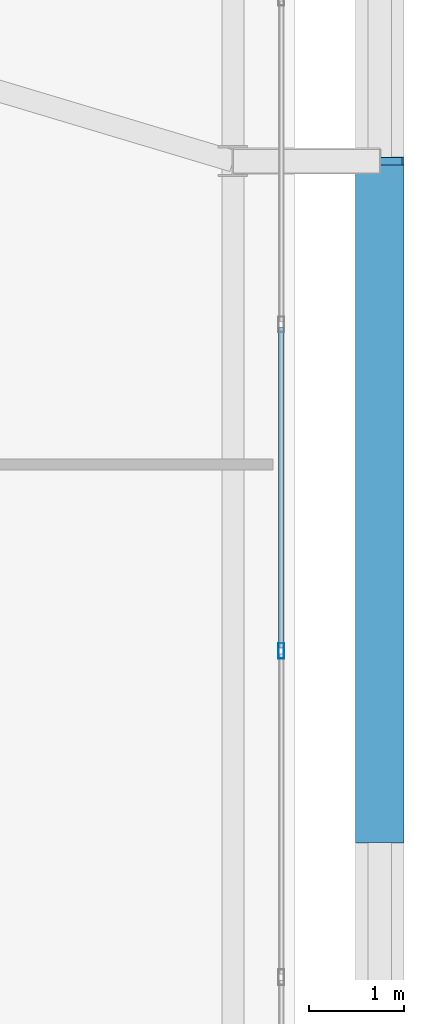
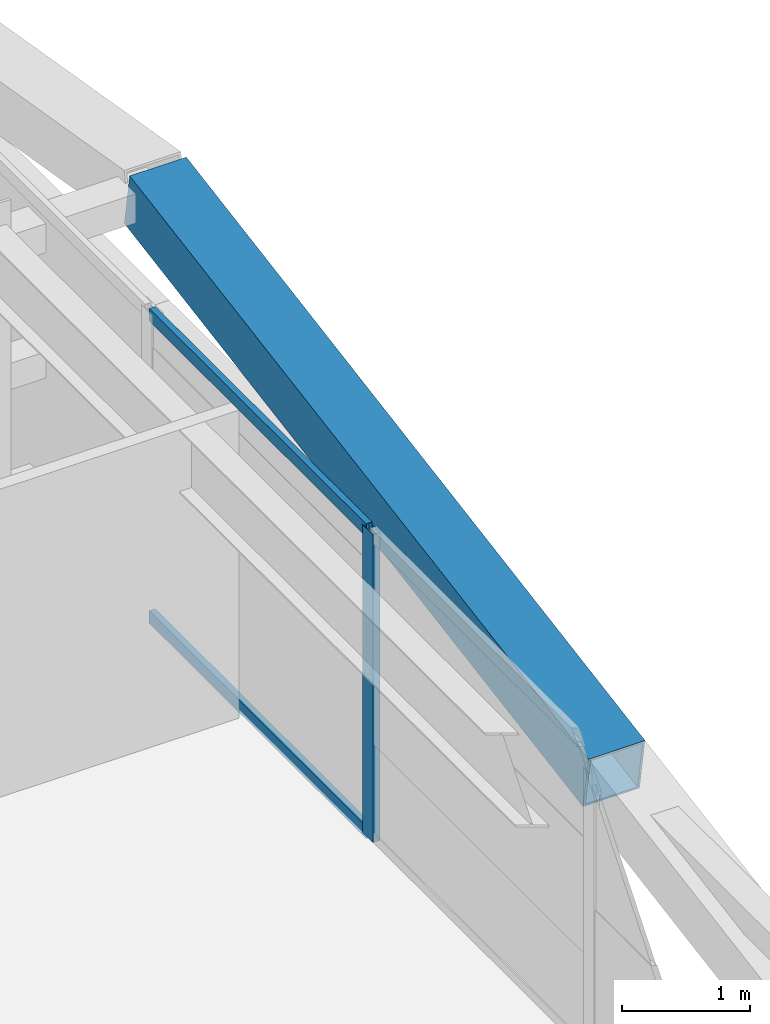
# One storey, part 28 of 59: 4 members, 1 element without a shape of its own.
"""IFC4 building model written with IfcOpenShell, lengths in metres."""

from ifc_helpers import new_model, si_unit, direction, frame, origin, origin_2d, place, context, subcontext, project, spatial, hollow_rectangle, extrude, source, transform, mapped, material, layer, layer_set, material_profile, profile_set, type_object, element, aggregate, save


model = new_model("IFC4")

# Units and contexts
model_context = context("Model", 3, precision=1e-05, world=origin(), true_north=direction((0.0, 1.0)))
body_context = subcontext(model_context, "Body", "Model", "MODEL_VIEW")
ifc_project = project(units=[si_unit("LENGTHUNIT", "METRE"), si_unit("AREAUNIT", "SQUARE_METRE"), si_unit("VOLUMEUNIT", "CUBIC_METRE"), si_unit("PLANEANGLEUNIT", "RADIAN"), si_unit("MASSUNIT", "GRAM", prefix="KILO")], contexts=[model_context])

# Site, building, storey
site_placement = place(None, origin())
site = spatial("IfcSite", under=ifc_project, at=site_placement, CompositionType="ELEMENT")
building_placement = place(site_placement, origin())
building = spatial("IfcBuilding", under=site, at=building_placement, Name="Taldren Reach Tower", CompositionType="ELEMENT")
storey_placement = place(building_placement, frame((0.0, 0.0, 48.300048828125)))
storey = spatial("IfcBuildingStorey", under=building, at=storey_placement, Name="L14", CompositionType="ELEMENT", Elevation=48.300048828125)

# Member
ifc_material_1 = material(Name="Steel Gr 450 (C450L0)", Category="steel")
ifc_material_profile_1 = material_profile(ifc_material_1, hollow_rectangle(XDim=0.510009765625, YDim=0.510009765625, WallThickness=0.02001953125, at=origin_2d()), Name="510x510x20.0SHS")
ifc_profile_set_1 = profile_set([ifc_material_profile_1], Name="Steel Gr 450 (C450L0)")
member_type_1 = type_object("IfcMemberType", Name="MB-EXO508", PredefinedType="BRACE", material=ifc_profile_set_1)
shared_shape_1 = source(origin(), body_context, "Body", "SweptSolid", [
    extrude(hollow_rectangle(XDim=0.510009765625, YDim=0.510009765625, WallThickness=0.02001953125, at=origin_2d()), origin(), (0.0, 0.0, 1.0), 7.25244140625),
])
member_1_placement = place(storey_placement, frame((65.89990234375, 12.85009765625, 1.43505859375), z_axis=(0.0, 0.985870415536, 0.167509772168), x_axis=(-1.0, 0.0, 0.0)))
element("IfcMember", 1, at=member_1_placement, inside=storey, type_object=member_type_1, Name="Exoskeleton Diagrid Brace B1-E1 L14", PredefinedType="BRACE", context=body_context, shape_type="MappedRepresentation", body=[
    mapped(shared_shape_1, transform((0.0, 0.0, 0.0), scale=1.0)),
])

# Curtain wall, members
ifc_material_2 = material(Name="Aluminium and Low-E Glass Unitised System", Category="aluminium")
ifc_layer = layer(ifc_material_2, 0.159912109375)
ifc_layer_set = layer_set([ifc_layer], Name="Aluminium and Low-E Glass Unitised System")
curtain_wall_type = type_object("IfcCurtainWallType", Name="CW-SYS-2", PredefinedType="NOTDEFINED", material=ifc_layer_set)
curtain_wall_placement = place(storey_placement, origin())
curtain_wall = element("IfcCurtainWall", 2, at=curtain_wall_placement, inside=storey, type_object=curtain_wall_type, Name="Unitised curtain wall CW-L14-E", PredefinedType="NOTDEFINED")
ifc_material_3 = material(Name="Anodised Aluminium 6063-T6", Category="aluminium")
ifc_material_profile_2 = material_profile(ifc_material_3, hollow_rectangle(XDim=0.06494140625, YDim=0.1650390625, WallThickness=0.00390625, at=origin_2d()), Name="ALU-165x65x4RHS")
ifc_profile_set_2 = profile_set([ifc_material_profile_2], Name="Anodised Aluminium 6063-T6")
member_type_2 = type_object("IfcMemberType", Name="CW-MUL-165", PredefinedType="MULLION", material=ifc_profile_set_2)
shared_shape_2 = source(origin(), body_context, "Body", "SweptSolid", [
    extrude(hollow_rectangle(XDim=0.06494140625, YDim=0.1650390625, WallThickness=0.00390625, at=origin_2d()), origin(), (0.0, 0.0, 1.0), 2.929931640625),
])
member_2_placement = place(storey_placement, frame((64.860107421875, 14.833251953125, 0.0), z_axis=(0.0, 0.0, 1.0), x_axis=(-1.0, 0.0, 0.0)))
member_2 = element("IfcMember", 3, at=member_2_placement, type_object=member_type_2, Name="CW-2 mullion 4", PredefinedType="MULLION", context=body_context, shape_type="MappedRepresentation", body=[
    mapped(shared_shape_2, transform((0.0, 0.0, 0.0), scale=1.0)),
])
ifc_material_profile_3 = material_profile(ifc_material_3, hollow_rectangle(XDim=0.054931640625, YDim=0.1201171875, WallThickness=0.0029296875, at=origin_2d()), Name="ALU-120x55x3RHS")
ifc_profile_set_3 = profile_set([ifc_material_profile_3], Name="Anodised Aluminium 6063-T6")
member_type_3 = type_object("IfcMemberType", Name="CW-TRN-135", PredefinedType="USERDEFINED", material=ifc_profile_set_3)
shared_shape_3 = source(origin(), body_context, "Body", "SweptSolid", [
    extrude(hollow_rectangle(XDim=0.054931640625, YDim=0.1201171875, WallThickness=0.0029296875, at=origin_2d()), origin(), (0.0, 0.0, 1.0), 3.379638671875),
])
member_3_placement = place(storey_placement, frame((64.860107421875, 14.86572265625, 0.02734375), z_axis=(0.0, 1.0, 0.0), x_axis=(-1.0, 0.0, 0.0)))
member_3 = element("IfcMember", 4, at=member_3_placement, type_object=member_type_3, Name="CW-2 transom 4.1", ObjectType="TRANSOM", PredefinedType="USERDEFINED", context=body_context, shape_type="MappedRepresentation", body=[
    mapped(shared_shape_3, transform((0.0, 0.0, 0.0), scale=1.0)),
])
member_4_placement = place(storey_placement, frame((64.860107421875, 14.86572265625, 2.90234375), z_axis=(0.0, 1.0, 0.0), x_axis=(-1.0, 0.0, 0.0)))
member_4 = element("IfcMember", 5, at=member_4_placement, type_object=member_type_3, Name="CW-2 transom 4.2", ObjectType="TRANSOM", PredefinedType="USERDEFINED", context=body_context, shape_type="MappedRepresentation", body=[
    mapped(shared_shape_3, transform((0.0, 0.0, 0.0), scale=1.0)),
])
aggregate(curtain_wall, [member_2, member_3, member_4])

save(model, "model.ifc")
